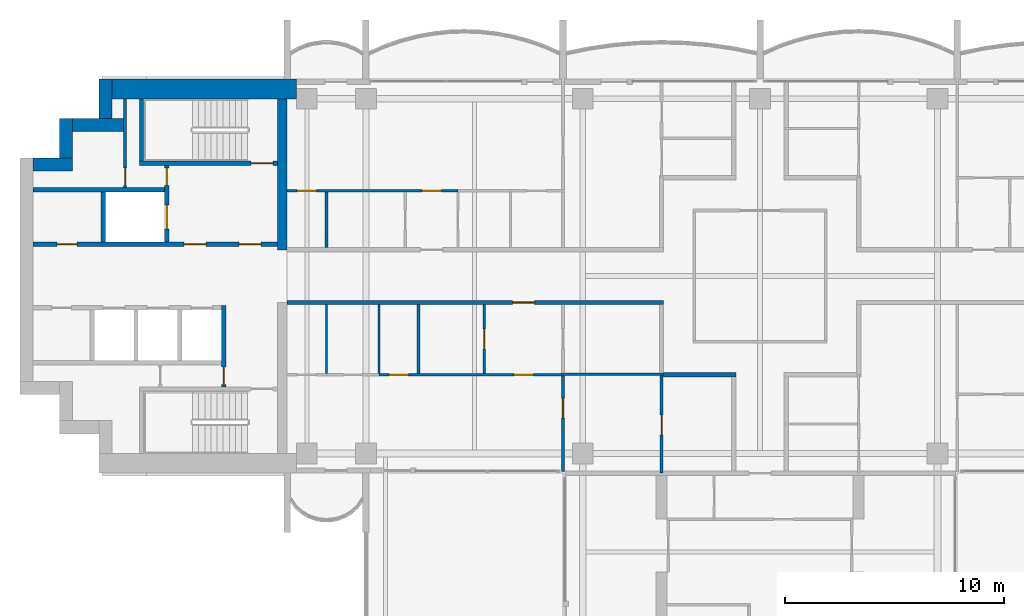
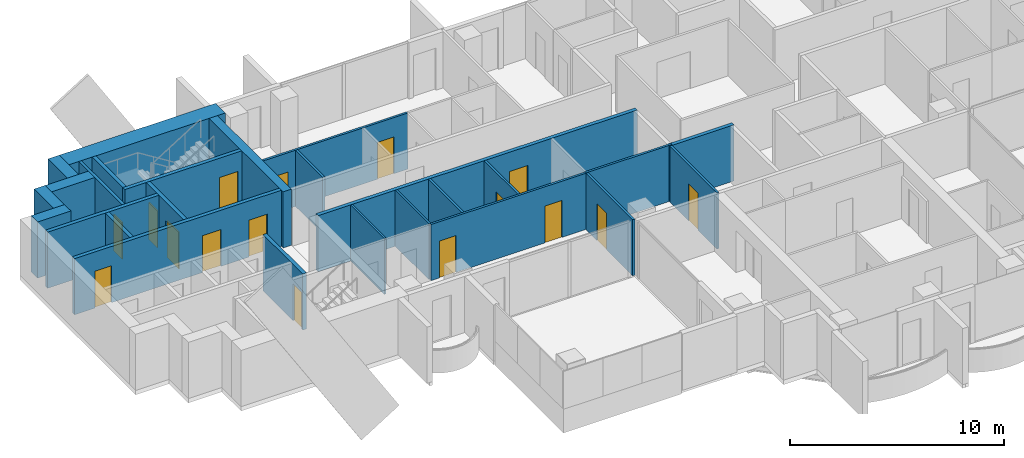
# One storey, part 9 of 18: 26 walls, 16 doors, 16 openings.
"""IFC4 building model written with IfcOpenShell, lengths in metres."""

from ifc_helpers import new_model, si_unit, direction, frame, frame_2d, origin, place, context, subcontext, project, spatial, rectangle, extrude, material, layer, layer_set, type_object, element, fill, save


model = new_model("IFC4")

# Units and contexts
model_context = context("Model", 3, precision=1e-05, world=origin(), true_north=direction((0.0, 1.0)))
body_context = subcontext(model_context, "Body", "Model", "MODEL_VIEW")
ifc_project = project(units=[si_unit("LENGTHUNIT", "METRE"), si_unit("AREAUNIT", "SQUARE_METRE"), si_unit("VOLUMEUNIT", "CUBIC_METRE"), si_unit("PLANEANGLEUNIT", "RADIAN"), si_unit("MASSUNIT", "GRAM", prefix="KILO")], contexts=[model_context])

# Site, building, storey
site_placement = place(None, origin())
site = spatial("IfcSite", under=ifc_project, at=site_placement, CompositionType="ELEMENT")
building_placement = place(site_placement, origin())
building = spatial("IfcBuilding", under=site, at=building_placement, Name="Perihelion Cross Residences", CompositionType="ELEMENT")
storey_placement = place(building_placement, frame((0.0, 0.0, 219.10009765625)))
storey = spatial("IfcBuildingStorey", under=building, at=storey_placement, Name="L55", CompositionType="ELEMENT", Elevation=219.10009765625)

# Wall, opening, door
ifc_material_1 = material(Name="Plasterboard partition")
ifc_layer_1 = layer(ifc_material_1, 0.199951171875)
ifc_layer_set_1 = layer_set([ifc_layer_1], Name="Apartment separation wall 200")
wall_type_1 = type_object("IfcWallType", Name="Apartment separation wall 200", PredefinedType="PARTITIONING", material=ifc_layer_set_1)
wall_1_placement = place(storey_placement, frame((-4.39990234375, -1.199951171875, 0.0), z_axis=(0.0, 0.0, 1.0), x_axis=(-1.0, 0.0, 0.0)))
wall_1 = element("IfcWall", 1, at=wall_1_placement, inside=storey, type_object=wall_type_1, Name="Partition L55 W017", PredefinedType="PARTITIONING", context=body_context, shape_type="SweptSolid", body=[
    extrude(rectangle(XDim=17.2001953125, YDim=0.199951171875, at=frame_2d((8.60009765625, 0.0))), origin(), (0.0, 0.0, 1.0), 3.199951171875),
])
opening_1_placement = place(wall_1_placement, frame((5.89990234375, 0.0, 0.0)))
opening_1 = element("IfcOpeningElement", 2, at=opening_1_placement, cuts=wall_1, Name="Opening L55.A44", PredefinedType="OPENING", context=body_context, shape_type="SweptSolid", body=[
    extrude(rectangle(XDim=1.0, YDim=2.10009765625, at=frame_2d((0.5, 1.050048828125))), frame((0.0, 0.10986328125, 0.0), z_axis=(0.0, -1.0, 0.0), x_axis=(1.0, 0.0, 0.0)), (0.0, 0.0, 1.0), 0.219970703125),
])
ifc_material_2 = material(Name="Timber door leaf", Category="wood")
door_type_1 = type_object("IfcDoorType", Name="Flat entrance door 1000 x 2100", OperationType="SINGLE_SWING_LEFT", PredefinedType="DOOR", material=ifc_material_2)
door_1_placement = place(opening_1_placement, origin())
door_1 = element("IfcDoor", 3, at=door_1_placement, inside=storey, type_object=door_type_1, Name="Door L55.A44", OperationType="SINGLE_SWING_LEFT", OverallHeight=2.10009765625, OverallWidth=1.0, PredefinedType="DOOR", context=body_context, shape_type="SweptSolid", body=[
    extrude(rectangle(XDim=1.0, YDim=2.10009765625, at=frame_2d((0.5, 1.050048828125))), frame((0.0, 0.02490234375, 0.0), z_axis=(0.0, -1.0, 0.0), x_axis=(1.0, 0.0, 0.0)), (0.0, 0.0, 1.0), 0.050048828125),
])
fill(opening_1, door_1)

# Walls
wall_2_placement = place(storey_placement, frame((-1.10009765625, -4.5, 0.0), z_axis=(0.0, 0.0, 1.0), x_axis=(-1.0, 0.0, 0.0)))
element("IfcWall", 4, at=wall_2_placement, inside=storey, type_object=wall_type_1, Name="Partition L55 W020", PredefinedType="PARTITIONING", context=body_context, shape_type="SweptSolid", body=[
    extrude(rectangle(XDim=3.4599609375, YDim=0.199951171875, at=frame_2d((1.72998046875, 0.0))), origin(), (0.0, 0.0, 1.0), 3.199951171875),
])
ifc_material_3 = material(Name="Concrete C60/75", Category="concrete")
ifc_layer_2 = layer(ifc_material_3, 0.449951171875)
ifc_layer_set_2 = layer_set([ifc_layer_2], Name="Core wall, inner 450")
wall_type_2 = type_object("IfcWallType", Name="Core wall, inner 450", PredefinedType="SHEAR", material=ifc_layer_set_2)
wall_3_placement = place(storey_placement, frame((-21.824951171875, 1.199951171875, 0.0), z_axis=(0.0, 0.0, 1.0), x_axis=(0.0, 1.0, 0.0)))
element("IfcWall", 5, at=wall_3_placement, inside=storey, type_object=wall_type_2, Name="West core core wall, inner", PredefinedType="SHEAR", context=body_context, shape_type="SweptSolid", body=[
    extrude(rectangle(XDim=6.900146484375, YDim=0.449951171875, at=frame_2d((3.4501953125, 0.0))), origin(), (0.0, 0.0, 1.0), 3.199951171875),
])
ifc_material_4 = material(Name="Concrete C60/75", Category="concrete")
ifc_layer_3 = layer(ifc_material_4, 0.60009765625)
ifc_layer_set_3 = layer_set([ifc_layer_3], Name="Core wall, outer 600")
wall_type_3 = type_object("IfcWallType", Name="Core wall, outer 600", PredefinedType="SHEAR", material=ifc_layer_set_3)
for number, where, z_axis, x_axis, name in (
    (6, (-33.199951171875, 5.10009765625, 0.0), (0.0, 0.0, 1.0), (1.0, 0.0, 0.0), "West core core wall, outer"),
    (7, (-31.699951171875, 5.39990234375, 0.0), (0.0, 0.0, 1.0), (0.0, 1.0, 0.0), "West core core wall, outer"),
):
    element("IfcWall", number, at=place(storey_placement, frame(where, z_axis=z_axis, x_axis=x_axis)), inside=storey, type_object=wall_type_3, Name=name, PredefinedType="SHEAR", context=body_context, shape_type="SweptSolid", body=[
        extrude(rectangle(XDim=1.800048828125, YDim=0.60009765625, at=frame_2d((0.89990234375, 0.0))), origin(), (0.0, 0.0, 1.0), 3.199951171875),
    ])
wall_4_placement = place(storey_placement, frame((-31.39990234375, 6.89990234375, 0.0), z_axis=(0.0, 0.0, 1.0), x_axis=(1.0, 0.0, 0.0)))
element("IfcWall", 8, at=wall_4_placement, inside=storey, type_object=wall_type_3, Name="West core core wall, outer", PredefinedType="SHEAR", context=body_context, shape_type="SweptSolid", body=[
    extrude(rectangle(XDim=2.324951171875, YDim=0.60009765625, at=frame_2d((1.16259765625, 0.0))), origin(), (0.0, 0.0, 1.0), 3.199951171875),
])
wall_5_placement = place(storey_placement, frame((-29.89990234375, 7.199951171875, 0.0), z_axis=(0.0, 0.0, 1.0), x_axis=(0.0, 1.0, 0.0)))
element("IfcWall", 9, at=wall_5_placement, inside=storey, type_object=wall_type_3, Name="West core core wall, outer", PredefinedType="SHEAR", context=body_context, shape_type="SweptSolid", body=[
    extrude(rectangle(XDim=1.800048828125, YDim=0.60009765625, at=frame_2d((0.89990234375, 0.0))), origin(), (0.0, 0.0, 1.0), 3.199951171875),
])
ifc_material_5 = material(Name="Concrete C60/75", Category="concrete")
ifc_layer_4 = layer(ifc_material_5, 0.89990234375)
ifc_layer_set_4 = layer_set([ifc_layer_4], Name="Core wall, outer 900")
wall_type_4 = type_object("IfcWallType", Name="Core wall, outer 900", PredefinedType="SHEAR", material=ifc_layer_set_4)
wall_6_placement = place(storey_placement, frame((-29.60009765625, 8.550048828125, 0.0), z_axis=(0.0, 0.0, 1.0), x_axis=(1.0, 0.0, 0.0)))
element("IfcWall", 10, at=wall_6_placement, inside=storey, type_object=wall_type_4, Name="West core core wall, outer", PredefinedType="SHEAR", context=body_context, shape_type="SweptSolid", body=[
    extrude(rectangle(XDim=8.425048828125, YDim=0.89990234375, at=frame_2d((4.21240234375, 0.0))), origin(), (0.0, 0.0, 1.0), 3.199951171875),
])

# Wall, opening, door
ifc_material_6 = material(Name="Concrete C50/60", Category="concrete")
ifc_layer_5 = layer(ifc_material_6, 0.199951171875)
ifc_layer_set_5 = layer_set([ifc_layer_5], Name="Lobby wall 200")
wall_type_5 = type_object("IfcWallType", Name="Lobby wall 200", PredefinedType="SOLIDWALL", material=ifc_layer_set_5)
wall_7_placement = place(storey_placement, frame((-24.5, -5.050048828125, 0.0), z_axis=(0.0, 0.0, 1.0), x_axis=(0.0, 1.0, 0.0)))
wall_7 = element("IfcWall", 11, at=wall_7_placement, inside=storey, type_object=wall_type_5, Name="West core lobby wall", PredefinedType="SOLIDWALL", context=body_context, shape_type="SweptSolid", body=[
    extrude(rectangle(XDim=3.699951171875, YDim=0.199951171875, at=frame_2d((1.85009765625, 0.0))), origin(), (0.0, 0.0, 1.0), 3.199951171875),
])
opening_2_placement = place(wall_7_placement, frame((0.10009765625, 0.0, 0.0)))
opening_2 = element("IfcOpeningElement", 12, at=opening_2_placement, cuts=wall_7, Name="Opening L55.C22", PredefinedType="OPENING", context=body_context, shape_type="SweptSolid", body=[
    extrude(rectangle(XDim=0.800048828125, YDim=2.10009765625, at=frame_2d((0.39990234375, 1.050048828125))), frame((0.0, 0.10986328125, 0.0), z_axis=(0.0, -1.0, 0.0), x_axis=(1.0, 0.0, 0.0)), (0.0, 0.0, 1.0), 0.219970703125),
])
ifc_material_7 = material(Name="Steel, powder coated", Category="steel")
door_type_2 = type_object("IfcDoorType", Name="Riser door 800", OperationType="SINGLE_SWING_LEFT", PredefinedType="DOOR", material=ifc_material_7)
door_2_placement = place(opening_2_placement, origin())
door_2 = element("IfcDoor", 13, at=door_2_placement, inside=storey, type_object=door_type_2, Name="West core riser door", OperationType="SINGLE_SWING_LEFT", OverallHeight=2.10009765625, OverallWidth=0.800048828125, PredefinedType="DOOR", context=body_context, shape_type="SweptSolid", body=[
    extrude(rectangle(XDim=0.800048828125, YDim=2.10009765625, at=frame_2d((0.39990234375, 1.050048828125))), frame((0.0, 0.02490234375, 0.0), z_axis=(0.0, -1.0, 0.0), x_axis=(1.0, 0.0, 0.0)), (0.0, 0.0, 1.0), 0.050048828125),
])
fill(opening_2, door_2)

# Wall, openings, doors
ifc_material_8 = material(Name="Plasterboard partition")
ifc_layer_6 = layer(ifc_material_8, 0.1201171875)
ifc_layer_set_6 = layer_set([ifc_layer_6], Name="Partition wall 120")
wall_type_6 = type_object("IfcWallType", Name="Partition wall 120", PredefinedType="PARTITIONING", material=ifc_layer_set_6)
wall_8_placement = place(storey_placement, frame((-21.60009765625, 3.89990234375, 0.0), z_axis=(0.0, 0.0, 1.0), x_axis=(1.0, 0.0, 0.0)))
wall_8 = element("IfcWall", 14, at=wall_8_placement, inside=storey, type_object=wall_type_6, Name="Partition L55 W053", PredefinedType="PARTITIONING", context=body_context, shape_type="SweptSolid", body=[
    extrude(rectangle(XDim=7.800048828125, YDim=0.1201171875, at=frame_2d((3.89990234375, 0.0))), origin(), (0.0, 0.0, 1.0), 3.199951171875),
])
opening_3_placement = place(wall_8_placement, frame((0.449951171875, 0.0, 0.0)))
opening_3 = element("IfcOpeningElement", 15, at=opening_3_placement, cuts=wall_8, Name="Opening L55.A21", PredefinedType="OPENING", context=body_context, shape_type="SweptSolid", body=[
    extrude(rectangle(XDim=0.89990234375, YDim=2.10009765625, at=frame_2d((0.449951171875, 1.050048828125))), frame((0.0, 0.070068359375, 0.0), z_axis=(0.0, -1.0, 0.0), x_axis=(1.0, 0.0, 0.0)), (0.0, 0.0, 1.0), 0.14013671875),
])
opening_4_placement = place(wall_8_placement, frame((6.14990234375, 0.0, 0.0)))
opening_4 = element("IfcOpeningElement", 16, at=opening_4_placement, cuts=wall_8, Name="Opening L55.A25", PredefinedType="OPENING", context=body_context, shape_type="SweptSolid", body=[
    extrude(rectangle(XDim=0.89990234375, YDim=2.10009765625, at=frame_2d((0.449951171875, 1.050048828125))), frame((0.0, 0.070068359375, 0.0), z_axis=(0.0, -1.0, 0.0), x_axis=(1.0, 0.0, 0.0)), (0.0, 0.0, 1.0), 0.14013671875),
])
ifc_material_9 = material(Name="Timber door leaf", Category="wood")
door_type_3 = type_object("IfcDoorType", Name="Interior room door 900 x 2100", OperationType="SINGLE_SWING_LEFT", PredefinedType="DOOR", material=ifc_material_9)
door_3_placement = place(opening_3_placement, origin())
door_3 = element("IfcDoor", 17, at=door_3_placement, inside=storey, type_object=door_type_3, Name="Door L55.A21", OperationType="SINGLE_SWING_RIGHT", OverallHeight=2.10009765625, OverallWidth=0.89990234375, PredefinedType="DOOR", context=body_context, shape_type="SweptSolid", body=[
    extrude(rectangle(XDim=0.89990234375, YDim=2.10009765625, at=frame_2d((0.449951171875, 1.050048828125))), frame((0.0, 0.02490234375, 0.0), z_axis=(0.0, -1.0, 0.0), x_axis=(1.0, 0.0, 0.0)), (0.0, 0.0, 1.0), 0.050048828125),
])
fill(opening_3, door_3)
door_4_placement = place(opening_4_placement, origin())
door_4 = element("IfcDoor", 18, at=door_4_placement, inside=storey, type_object=door_type_3, Name="Door L55.A25", OperationType="SINGLE_SWING_RIGHT", OverallHeight=2.10009765625, OverallWidth=0.89990234375, PredefinedType="DOOR", context=body_context, shape_type="SweptSolid", body=[
    extrude(rectangle(XDim=0.89990234375, YDim=2.10009765625, at=frame_2d((0.449951171875, 1.050048828125))), frame((0.0, 0.02490234375, 0.0), z_axis=(0.0, -1.0, 0.0), x_axis=(1.0, 0.0, 0.0)), (0.0, 0.0, 1.0), 0.050048828125),
])
fill(opening_4, door_4)

# Wall
wall_9_placement = place(storey_placement, frame((-19.800048828125, 1.300048828125, 0.0), z_axis=(0.0, 0.0, 1.0), x_axis=(0.0, 1.0, 0.0)))
element("IfcWall", 19, at=wall_9_placement, inside=storey, type_object=wall_type_6, Name="Partition L55 W054", PredefinedType="PARTITIONING", context=body_context, shape_type="SweptSolid", body=[
    extrude(rectangle(XDim=2.5400390625, YDim=0.1201171875, at=frame_2d((1.27001953125, 0.0))), origin(), (0.0, 0.0, 1.0), 3.199951171875),
])

# Wall, opening, door
wall_10_placement = place(storey_placement, frame((-12.60009765625, -4.43994140625, 0.0), z_axis=(0.0, 0.0, 1.0), x_axis=(0.0, 1.0, 0.0)))
wall_10 = element("IfcWall", 20, at=wall_10_placement, inside=storey, type_object=wall_type_6, Name="Partition L55 W058", PredefinedType="PARTITIONING", context=body_context, shape_type="SweptSolid", body=[
    extrude(rectangle(XDim=3.139892578125, YDim=0.1201171875, at=frame_2d((1.56982421875, 0.0))), origin(), (0.0, 0.0, 1.0), 3.199951171875),
])
opening_5_placement = place(wall_10_placement, frame((1.1201171875, 0.0, 0.0)))
opening_5 = element("IfcOpeningElement", 21, at=opening_5_placement, cuts=wall_10, Name="Opening L55.A29", PredefinedType="OPENING", context=body_context, shape_type="SweptSolid", body=[
    extrude(rectangle(XDim=0.89990234375, YDim=2.10009765625, at=frame_2d((0.449951171875, 1.050048828125))), frame((0.0, 0.070068359375, 0.0), z_axis=(0.0, -1.0, 0.0), x_axis=(1.0, 0.0, 0.0)), (0.0, 0.0, 1.0), 0.14013671875),
])
door_5_placement = place(opening_5_placement, origin())
door_5 = element("IfcDoor", 22, at=door_5_placement, inside=storey, type_object=door_type_3, Name="Door L55.A29", OperationType="SINGLE_SWING_LEFT", OverallHeight=2.10009765625, OverallWidth=0.89990234375, PredefinedType="DOOR", context=body_context, shape_type="SweptSolid", body=[
    extrude(rectangle(XDim=0.89990234375, YDim=2.10009765625, at=frame_2d((0.449951171875, 1.050048828125))), frame((0.0, 0.02490234375, 0.0), z_axis=(0.0, -1.0, 0.0), x_axis=(1.0, 0.0, 0.0)), (0.0, 0.0, 1.0), 0.050048828125),
])
fill(opening_5, door_5)

# Wall, openings, doors
wall_11_placement = place(storey_placement, frame((-8.93994140625, -4.5, 0.0), z_axis=(0.0, 0.0, 1.0), x_axis=(-1.0, 0.0, 0.0)))
wall_11 = element("IfcWall", 23, at=wall_11_placement, inside=storey, type_object=wall_type_6, Name="Partition L55 W059", PredefinedType="PARTITIONING", context=body_context, shape_type="SweptSolid", body=[
    extrude(rectangle(XDim=8.4599609375, YDim=0.1201171875, at=frame_2d((4.22998046875, 0.0))), origin(), (0.0, 0.0, 1.0), 3.199951171875),
])
opening_6_placement = place(wall_11_placement, frame((7.110107421875, 0.0, 0.0)))
opening_6 = element("IfcOpeningElement", 24, at=opening_6_placement, cuts=wall_11, Name="Opening L55.A31", PredefinedType="OPENING", context=body_context, shape_type="SweptSolid", body=[
    extrude(rectangle(XDim=0.89990234375, YDim=2.10009765625, at=frame_2d((0.449951171875, 1.050048828125))), frame((0.0, 0.070068359375, 0.0), z_axis=(0.0, -1.0, 0.0), x_axis=(1.0, 0.0, 0.0)), (0.0, 0.0, 1.0), 0.14013671875),
])
opening_7_placement = place(wall_11_placement, frame((1.409912109375, 0.0, 0.0)))
opening_7 = element("IfcOpeningElement", 25, at=opening_7_placement, cuts=wall_11, Name="Opening L55.A34", PredefinedType="OPENING", context=body_context, shape_type="SweptSolid", body=[
    extrude(rectangle(XDim=0.89990234375, YDim=2.10009765625, at=frame_2d((0.449951171875, 1.050048828125))), frame((0.0, 0.070068359375, 0.0), z_axis=(0.0, -1.0, 0.0), x_axis=(1.0, 0.0, 0.0)), (0.0, 0.0, 1.0), 0.14013671875),
])
door_6_placement = place(opening_6_placement, origin())
door_6 = element("IfcDoor", 26, at=door_6_placement, inside=storey, type_object=door_type_3, Name="Door L55.A31", OperationType="SINGLE_SWING_LEFT", OverallHeight=2.10009765625, OverallWidth=0.89990234375, PredefinedType="DOOR", context=body_context, shape_type="SweptSolid", body=[
    extrude(rectangle(XDim=0.89990234375, YDim=2.10009765625, at=frame_2d((0.449951171875, 1.050048828125))), frame((0.0, 0.02490234375, 0.0), z_axis=(0.0, -1.0, 0.0), x_axis=(1.0, 0.0, 0.0)), (0.0, 0.0, 1.0), 0.050048828125),
])
fill(opening_6, door_6)
door_7_placement = place(opening_7_placement, origin())
door_7 = element("IfcDoor", 27, at=door_7_placement, inside=storey, type_object=door_type_3, Name="Door L55.A34", OperationType="SINGLE_SWING_RIGHT", OverallHeight=2.10009765625, OverallWidth=0.89990234375, PredefinedType="DOOR", context=body_context, shape_type="SweptSolid", body=[
    extrude(rectangle(XDim=0.89990234375, YDim=2.10009765625, at=frame_2d((0.449951171875, 1.050048828125))), frame((0.0, 0.02490234375, 0.0), z_axis=(0.0, -1.0, 0.0), x_axis=(1.0, 0.0, 0.0)), (0.0, 0.0, 1.0), 0.050048828125),
])
fill(opening_7, door_7)

# Wall
wall_12_placement = place(storey_placement, frame((-15.60009765625, -4.43994140625, 0.0), z_axis=(0.0, 0.0, 1.0), x_axis=(0.0, 1.0, 0.0)))
element("IfcWall", 28, at=wall_12_placement, inside=storey, type_object=wall_type_6, Name="Partition L55 W061", PredefinedType="PARTITIONING", context=body_context, shape_type="SweptSolid", body=[
    extrude(rectangle(XDim=3.139892578125, YDim=0.1201171875, at=frame_2d((1.56982421875, 0.0))), origin(), (0.0, 0.0, 1.0), 3.199951171875),
])

# Wall, opening, door
wall_13_placement = place(storey_placement, frame((-9.0, -4.56005859375, 0.0), z_axis=(0.0, 0.0, 1.0), x_axis=(0.0, -1.0, 0.0)))
wall_13 = element("IfcWall", 29, at=wall_13_placement, inside=storey, type_object=wall_type_6, Name="Partition L55 W066", PredefinedType="PARTITIONING", context=body_context, shape_type="SweptSolid", body=[
    extrude(rectangle(XDim=4.35986328125, YDim=0.1201171875, at=frame_2d((2.179931640625, 0.0))), origin(), (0.0, 0.0, 1.0), 3.199951171875),
])
opening_8_placement = place(wall_13_placement, frame((1.02001953125, 0.0, 0.0)))
opening_8 = element("IfcOpeningElement", 30, at=opening_8_placement, cuts=wall_13, Name="Opening L55.A33", PredefinedType="OPENING", context=body_context, shape_type="SweptSolid", body=[
    extrude(rectangle(XDim=0.89990234375, YDim=2.10009765625, at=frame_2d((0.449951171875, 1.050048828125))), frame((0.0, 0.070068359375, 0.0), z_axis=(0.0, -1.0, 0.0), x_axis=(1.0, 0.0, 0.0)), (0.0, 0.0, 1.0), 0.14013671875),
])
door_8_placement = place(opening_8_placement, origin())
door_8 = element("IfcDoor", 31, at=door_8_placement, inside=storey, type_object=door_type_3, Name="Door L55.A33", OperationType="SINGLE_SWING_RIGHT", OverallHeight=2.10009765625, OverallWidth=0.89990234375, PredefinedType="DOOR", context=body_context, shape_type="SweptSolid", body=[
    extrude(rectangle(XDim=0.89990234375, YDim=2.10009765625, at=frame_2d((0.449951171875, 1.050048828125))), frame((0.0, 0.02490234375, 0.0), z_axis=(0.0, -1.0, 0.0), x_axis=(1.0, 0.0, 0.0)), (0.0, 0.0, 1.0), 0.050048828125),
])
fill(opening_8, door_8)

# Wall
wall_14_placement = place(storey_placement, frame((-4.39990234375, -4.47607421875, 0.0), z_axis=(0.0, 0.0, 1.0), x_axis=(-1.0, 0.0, 0.0)))
element("IfcWall", 32, at=wall_14_placement, inside=storey, type_object=wall_type_6, Name="Partition L55 W067", PredefinedType="PARTITIONING", context=body_context, shape_type="SweptSolid", body=[
    extrude(rectangle(XDim=4.66015625, YDim=0.1201171875, at=frame_2d((2.330078125, 0.0))), origin(), (0.0, 0.0, 1.0), 3.199951171875),
])

# Wall, opening, door
wall_15_placement = place(storey_placement, frame((-4.5, -4.60009765625, 0.0), z_axis=(0.0, 0.0, 1.0), x_axis=(0.0, -1.0, 0.0)))
wall_15 = element("IfcWall", 33, at=wall_15_placement, inside=storey, type_object=wall_type_6, Name="Partition L55 W068", PredefinedType="PARTITIONING", context=body_context, shape_type="SweptSolid", body=[
    extrude(rectangle(XDim=4.39990234375, YDim=0.1201171875, at=frame_2d((2.199951171875, 0.0))), origin(), (0.0, 0.0, 1.0), 3.199951171875),
])
opening_9_placement = place(wall_15_placement, frame((1.75, 0.0, 0.0)))
opening_9 = element("IfcOpeningElement", 34, at=opening_9_placement, cuts=wall_15, Name="Opening L55.A32", PredefinedType="OPENING", context=body_context, shape_type="SweptSolid", body=[
    extrude(rectangle(XDim=0.89990234375, YDim=2.10009765625, at=frame_2d((0.449951171875, 1.050048828125))), frame((0.0, 0.070068359375, 0.0), z_axis=(0.0, -1.0, 0.0), x_axis=(1.0, 0.0, 0.0)), (0.0, 0.0, 1.0), 0.14013671875),
])
door_9_placement = place(opening_9_placement, origin())
door_9 = element("IfcDoor", 35, at=door_9_placement, inside=storey, type_object=door_type_3, Name="Door L55.A32", OperationType="SINGLE_SWING_RIGHT", OverallHeight=2.10009765625, OverallWidth=0.89990234375, PredefinedType="DOOR", context=body_context, shape_type="SweptSolid", body=[
    extrude(rectangle(XDim=0.89990234375, YDim=2.10009765625, at=frame_2d((0.449951171875, 1.050048828125))), frame((0.0, 0.02490234375, 0.0), z_axis=(0.0, -1.0, 0.0), x_axis=(1.0, 0.0, 0.0)), (0.0, 0.0, 1.0), 0.050048828125),
])
fill(opening_9, door_9)

ifc_material_10 = material(Name="Fire-rated board on steel stud", Category="steel")
ifc_layer_7 = layer(ifc_material_10, 0.14990234375)
ifc_layer_set_7 = layer_set([ifc_layer_7], Name="Riser wall 150")
wall_type_7 = type_object("IfcWallType", Name="Riser wall 150", PredefinedType="PARTITIONING", material=ifc_layer_set_7)
wall_16_placement = place(storey_placement, frame((-29.0, 4.050048828125, 0.0), z_axis=(0.0, 0.0, 1.0), x_axis=(0.0, 1.0, 0.0)))
wall_16 = element("IfcWall", 36, at=wall_16_placement, inside=storey, type_object=wall_type_7, Name="West core riser wall", PredefinedType="PARTITIONING", context=body_context, shape_type="SweptSolid", body=[
    extrude(rectangle(XDim=4.050048828125, YDim=0.14990234375, at=frame_2d((2.02490234375, 0.0))), origin(), (0.0, 0.0, 1.0), 3.199951171875),
])
opening_10_placement = place(wall_16_placement, frame((0.10009765625, 0.0, 0.0)))
opening_10 = element("IfcOpeningElement", 37, at=opening_10_placement, cuts=wall_16, Name="Opening L55.C26", PredefinedType="OPENING", context=body_context, shape_type="SweptSolid", body=[
    extrude(rectangle(XDim=0.800048828125, YDim=2.10009765625, at=frame_2d((0.39990234375, 1.050048828125))), frame((0.0, 0.0849609375, 0.0), z_axis=(0.0, -1.0, 0.0), x_axis=(1.0, 0.0, 0.0)), (0.0, 0.0, 1.0), 0.169921875),
])
door_10_placement = place(opening_10_placement, origin())
door_10 = element("IfcDoor", 38, at=door_10_placement, inside=storey, type_object=door_type_2, Name="West core riser door", OperationType="SINGLE_SWING_LEFT", OverallHeight=2.10009765625, OverallWidth=0.800048828125, PredefinedType="DOOR", context=body_context, shape_type="SweptSolid", body=[
    extrude(rectangle(XDim=0.800048828125, YDim=2.10009765625, at=frame_2d((0.39990234375, 1.050048828125))), frame((0.0, 0.02490234375, 0.0), z_axis=(0.0, -1.0, 0.0), x_axis=(1.0, 0.0, 0.0)), (0.0, 0.0, 1.0), 0.050048828125),
])
fill(opening_10, door_10)

# Wall, openings, doors
ifc_material_11 = material(Name="Concrete C50/60", Category="concrete")
ifc_layer_8 = layer(ifc_material_11, 0.199951171875)
ifc_layer_set_8 = layer_set([ifc_layer_8], Name="Shaft wall 200")
wall_type_8 = type_object("IfcWallType", Name="Shaft wall 200", PredefinedType="SOLIDWALL", material=ifc_layer_set_8)
wall_17_placement = place(storey_placement, frame((-33.199951171875, 1.449951171875, 0.0), z_axis=(0.0, 0.0, 1.0), x_axis=(1.0, 0.0, 0.0)))
wall_17 = element("IfcWall", 39, at=wall_17_placement, inside=storey, type_object=wall_type_8, Name="West core shaft wall", PredefinedType="SOLIDWALL", context=body_context, shape_type="SweptSolid", body=[
    extrude(rectangle(XDim=11.14990234375, YDim=0.199951171875, at=frame_2d((5.574951171875, 0.0))), origin(), (0.0, 0.0, 1.0), 3.199951171875),
])
opening_11_placement = place(wall_17_placement, frame((9.39990234375, 0.0, 0.0)))
opening_11 = element("IfcOpeningElement", 40, at=opening_11_placement, cuts=wall_17, Name="Opening L55.C21", PredefinedType="OPENING", context=body_context, shape_type="SweptSolid", body=[
    extrude(rectangle(XDim=1.0, YDim=2.10009765625, at=frame_2d((0.5, 1.050048828125))), frame((0.0, 0.10986328125, 0.0), z_axis=(0.0, -1.0, 0.0), x_axis=(1.0, 0.0, 0.0)), (0.0, 0.0, 1.0), 0.219970703125),
])
opening_12_placement = place(wall_17_placement, frame((6.89990234375, 0.0, 0.0)))
opening_12 = element("IfcOpeningElement", 41, at=opening_12_placement, cuts=wall_17, Name="Opening L55.C23", PredefinedType="OPENING", context=body_context, shape_type="SweptSolid", body=[
    extrude(rectangle(XDim=1.0, YDim=2.10009765625, at=frame_2d((0.5, 1.050048828125))), frame((0.0, 0.10986328125, 0.0), z_axis=(0.0, -1.0, 0.0), x_axis=(1.0, 0.0, 0.0)), (0.0, 0.0, 1.0), 0.219970703125),
])
opening_13_placement = place(wall_17_placement, frame((1.10009765625, 0.0, 0.0)))
opening_13 = element("IfcOpeningElement", 42, at=opening_13_placement, cuts=wall_17, Name="Opening L55.C27", PredefinedType="OPENING", context=body_context, shape_type="SweptSolid", body=[
    extrude(rectangle(XDim=0.89990234375, YDim=2.10009765625, at=frame_2d((0.449951171875, 1.050048828125))), frame((0.0, 0.10986328125, 0.0), z_axis=(0.0, -1.0, 0.0), x_axis=(1.0, 0.0, 0.0)), (0.0, 0.0, 1.0), 0.219970703125),
])
ifc_material_12 = material(Name="Steel, powder coated", Category="steel")
door_type_4 = type_object("IfcDoorType", Name="Lobby door 1000", OperationType="SINGLE_SWING_LEFT", PredefinedType="DOOR", material=ifc_material_12)
door_11_placement = place(opening_11_placement, origin())
door_11 = element("IfcDoor", 43, at=door_11_placement, inside=storey, type_object=door_type_4, Name="West core firefighting lobby door", OperationType="SINGLE_SWING_LEFT", OverallHeight=2.10009765625, OverallWidth=1.0, PredefinedType="DOOR", context=body_context, shape_type="SweptSolid", body=[
    extrude(rectangle(XDim=1.0, YDim=2.10009765625, at=frame_2d((0.5, 1.050048828125))), frame((0.0, 0.02490234375, 0.0), z_axis=(0.0, -1.0, 0.0), x_axis=(1.0, 0.0, 0.0)), (0.0, 0.0, 1.0), 0.050048828125),
])
fill(opening_11, door_11)
door_12_placement = place(opening_12_placement, origin())
door_12 = element("IfcDoor", 44, at=door_12_placement, inside=storey, type_object=door_type_4, Name="West core firefighting lobby door", OperationType="SINGLE_SWING_LEFT", OverallHeight=2.10009765625, OverallWidth=1.0, PredefinedType="DOOR", context=body_context, shape_type="SweptSolid", body=[
    extrude(rectangle(XDim=1.0, YDim=2.10009765625, at=frame_2d((0.5, 1.050048828125))), frame((0.0, 0.02490234375, 0.0), z_axis=(0.0, -1.0, 0.0), x_axis=(1.0, 0.0, 0.0)), (0.0, 0.0, 1.0), 0.050048828125),
])
fill(opening_12, door_12)
ifc_material_13 = material(Name="Steel, powder coated", Category="steel")
door_type_5 = type_object("IfcDoorType", Name="Service room door 900", OperationType="SINGLE_SWING_LEFT", PredefinedType="DOOR", material=ifc_material_13)
door_13_placement = place(opening_13_placement, origin())
door_13 = element("IfcDoor", 45, at=door_13_placement, inside=storey, type_object=door_type_5, Name="West core service room door", OperationType="SINGLE_SWING_LEFT", OverallHeight=2.10009765625, OverallWidth=0.89990234375, PredefinedType="DOOR", context=body_context, shape_type="SweptSolid", body=[
    extrude(rectangle(XDim=0.89990234375, YDim=2.10009765625, at=frame_2d((0.449951171875, 1.050048828125))), frame((0.0, 0.02490234375, 0.0), z_axis=(0.0, -1.0, 0.0), x_axis=(1.0, 0.0, 0.0)), (0.0, 0.0, 1.0), 0.050048828125),
])
fill(opening_13, door_13)

# Wall
wall_18_placement = place(storey_placement, frame((-33.199951171875, 3.949951171875, 0.0), z_axis=(0.0, 0.0, 1.0), x_axis=(1.0, 0.0, 0.0)))
element("IfcWall", 46, at=wall_18_placement, inside=storey, type_object=wall_type_8, Name="West core shaft wall", PredefinedType="SOLIDWALL", context=body_context, shape_type="SweptSolid", body=[
    extrude(rectangle(XDim=6.0, YDim=0.199951171875, at=frame_2d((3.0, 0.0))), origin(), (0.0, 0.0, 1.0), 3.199951171875),
])

# Wall, openings, doors
wall_19_placement = place(storey_placement, frame((-27.10009765625, 1.550048828125, 0.0), z_axis=(0.0, 0.0, 1.0), x_axis=(0.0, 1.0, 0.0)))
wall_19 = element("IfcWall", 47, at=wall_19_placement, inside=storey, type_object=wall_type_8, Name="West core shaft wall", PredefinedType="SOLIDWALL", context=body_context, shape_type="SweptSolid", body=[
    extrude(rectangle(XDim=3.5, YDim=0.199951171875, at=frame_2d((1.75, 0.0))), origin(), (0.0, 0.0, 1.0), 3.199951171875),
])
opening_14_placement = place(wall_19_placement, frame((0.60009765625, 0.0, 0.0)))
opening_14 = element("IfcOpeningElement", 48, at=opening_14_placement, cuts=wall_19, Name="Opening L55.C16", PredefinedType="OPENING", context=body_context, shape_type="SweptSolid", body=[
    extrude(rectangle(XDim=1.10009765625, YDim=2.10009765625, at=frame_2d((0.550048828125, 1.050048828125))), frame((0.0, 0.10986328125, 0.0), z_axis=(0.0, -1.0, 0.0), x_axis=(1.0, 0.0, 0.0)), (0.0, 0.0, 1.0), 0.219970703125),
])
opening_15_placement = place(wall_19_placement, frame((2.60009765625, 0.0, 0.0)))
opening_15 = element("IfcOpeningElement", 49, at=opening_15_placement, cuts=wall_19, Name="Opening L55.C24", PredefinedType="OPENING", context=body_context, shape_type="SweptSolid", body=[
    extrude(rectangle(XDim=0.800048828125, YDim=2.10009765625, at=frame_2d((0.39990234375, 1.050048828125))), frame((0.0, 0.10986328125, 0.0), z_axis=(0.0, -1.0, 0.0), x_axis=(1.0, 0.0, 0.0)), (0.0, 0.0, 1.0), 0.219970703125),
])
ifc_material_14 = material(Name="Stainless steel", Category="steel")
door_type_6 = type_object("IfcDoorType", Name="Landing door, firefighting lift 1100", OperationType="DOUBLE_DOOR_SLIDING", PredefinedType="DOOR", material=ifc_material_14)
door_14_placement = place(opening_14_placement, origin())
door_14 = element("IfcDoor", 50, at=door_14_placement, inside=storey, type_object=door_type_6, Name="Landing door, West core firefighting and service lift", OperationType="DOUBLE_DOOR_SLIDING", OverallHeight=2.10009765625, OverallWidth=1.10009765625, PredefinedType="DOOR", context=body_context, shape_type="SweptSolid", body=[
    extrude(rectangle(XDim=1.10009765625, YDim=2.10009765625, at=frame_2d((0.550048828125, 1.050048828125))), frame((0.0, 0.02490234375, 0.0), z_axis=(0.0, -1.0, 0.0), x_axis=(1.0, 0.0, 0.0)), (0.0, 0.0, 1.0), 0.050048828125),
])
fill(opening_14, door_14)
door_15_placement = place(opening_15_placement, origin())
door_15 = element("IfcDoor", 51, at=door_15_placement, inside=storey, type_object=door_type_2, Name="West core riser door", OperationType="SINGLE_SWING_LEFT", OverallHeight=2.10009765625, OverallWidth=0.800048828125, PredefinedType="DOOR", context=body_context, shape_type="SweptSolid", body=[
    extrude(rectangle(XDim=0.800048828125, YDim=2.10009765625, at=frame_2d((0.39990234375, 1.050048828125))), frame((0.0, 0.02490234375, 0.0), z_axis=(0.0, -1.0, 0.0), x_axis=(1.0, 0.0, 0.0)), (0.0, 0.0, 1.0), 0.050048828125),
])
fill(opening_15, door_15)

# Wall
wall_20_placement = place(storey_placement, frame((-30.0, 1.550048828125, 0.0), z_axis=(0.0, 0.0, 1.0), x_axis=(0.0, 1.0, 0.0)))
element("IfcWall", 52, at=wall_20_placement, inside=storey, type_object=wall_type_8, Name="West core shaft wall", PredefinedType="SOLIDWALL", context=body_context, shape_type="SweptSolid", body=[
    extrude(rectangle(XDim=2.300048828125, YDim=0.199951171875, at=frame_2d((1.14990234375, 0.0))), origin(), (0.0, 0.0, 1.0), 3.199951171875),
])

# Wall, opening, door
ifc_material_15 = material(Name="Concrete C50/60", Category="concrete")
ifc_layer_9 = layer(ifc_material_15, 0.199951171875)
ifc_layer_set_9 = layer_set([ifc_layer_9], Name="Stair wall 200")
wall_type_9 = type_object("IfcWallType", Name="Stair wall 200", PredefinedType="SOLIDWALL", material=ifc_layer_set_9)
wall_21_placement = place(storey_placement, frame((-28.35009765625, 5.14990234375, 0.0), z_axis=(0.0, 0.0, 1.0), x_axis=(1.0, 0.0, 0.0)))
wall_21 = element("IfcWall", 53, at=wall_21_placement, inside=storey, type_object=wall_type_9, Name="West core stair wall", PredefinedType="SOLIDWALL", context=body_context, shape_type="SweptSolid", body=[
    extrude(rectangle(XDim=6.300048828125, YDim=0.199951171875, at=frame_2d((3.14990234375, 0.0))), origin(), (0.0, 0.0, 1.0), 3.199951171875),
])
opening_16_placement = place(wall_21_placement, frame((5.10009765625, 0.0, 0.0)))
opening_16 = element("IfcOpeningElement", 54, at=opening_16_placement, cuts=wall_21, Name="Opening L55.C20", PredefinedType="OPENING", context=body_context, shape_type="SweptSolid", body=[
    extrude(rectangle(XDim=1.0, YDim=2.10009765625, at=frame_2d((0.5, 1.050048828125))), frame((0.0, 0.10986328125, 0.0), z_axis=(0.0, -1.0, 0.0), x_axis=(1.0, 0.0, 0.0)), (0.0, 0.0, 1.0), 0.219970703125),
])
ifc_material_16 = material(Name="Steel, powder coated", Category="steel")
door_type_7 = type_object("IfcDoorType", Name="Stair door 1000", OperationType="SINGLE_SWING_LEFT", PredefinedType="DOOR", material=ifc_material_16)
door_16_placement = place(opening_16_placement, origin())
door_16 = element("IfcDoor", 55, at=door_16_placement, inside=storey, type_object=door_type_7, Name="West core stair door", OperationType="SINGLE_SWING_LEFT", OverallHeight=2.10009765625, OverallWidth=1.0, PredefinedType="DOOR", context=body_context, shape_type="SweptSolid", body=[
    extrude(rectangle(XDim=1.0, YDim=2.10009765625, at=frame_2d((0.5, 1.050048828125))), frame((0.0, 0.02490234375, 0.0), z_axis=(0.0, -1.0, 0.0), x_axis=(1.0, 0.0, 0.0)), (0.0, 0.0, 1.0), 0.050048828125),
])
fill(opening_16, door_16)

# Walls
wall_22_placement = place(storey_placement, frame((-28.25, 5.25, 0.0), z_axis=(0.0, 0.0, 1.0), x_axis=(0.0, 1.0, 0.0)))
element("IfcWall", 56, at=wall_22_placement, inside=storey, type_object=wall_type_9, Name="West core stair wall", PredefinedType="SOLIDWALL", context=body_context, shape_type="SweptSolid", body=[
    extrude(rectangle(XDim=2.85009765625, YDim=0.199951171875, at=frame_2d((1.425048828125, 0.0))), origin(), (0.0, 0.0, 1.0), 3.199951171875),
])
ifc_material_17 = material(Name="Plasterboard partition")
ifc_layer_10 = layer(ifc_material_17, 0.10009765625)
ifc_layer_set_10 = layer_set([ifc_layer_10], Name="Wet room wall 100")
wall_type_10 = type_object("IfcWallType", Name="Wet room wall 100", PredefinedType="PARTITIONING", material=ifc_layer_set_10)
for number, where, z_axis, x_axis, name in (
    (57, (-17.39990234375, -4.43994140625, 0.0), (0.0, 0.0, 1.0), (0.0, 1.0, 0.0), "Partition L55 W062"),
    (58, (-19.800048828125, -4.43994140625, 0.0), (0.0, 0.0, 1.0), (0.0, 1.0, 0.0), "Partition L55 W063"),
):
    element("IfcWall", number, at=place(storey_placement, frame(where, z_axis=z_axis, x_axis=x_axis)), inside=storey, type_object=wall_type_10, Name=name, PredefinedType="PARTITIONING", context=body_context, shape_type="SweptSolid", body=[
        extrude(rectangle(XDim=3.139892578125, YDim=0.10009765625, at=frame_2d((1.56982421875, 0.0))), origin(), (0.0, 0.0, 1.0), 3.199951171875),
    ])

save(model, "model.ifc")
